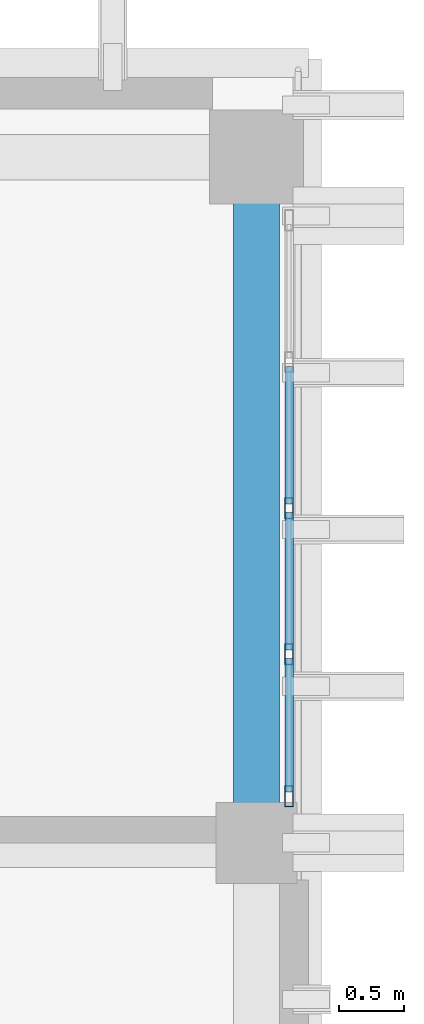
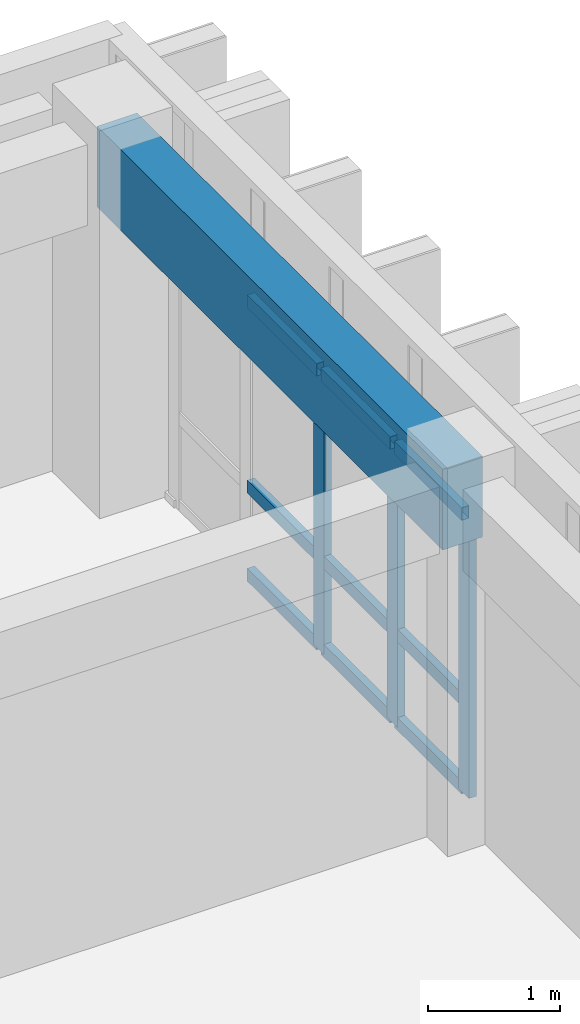
# One storey, part 41 of 59: 12 members, 1 beam, 1 element without a shape of its own.
"""IFC4 building model written with IfcOpenShell, lengths in metres."""

from ifc_helpers import new_model, si_unit, direction, frame, origin, origin_2d, place, context, subcontext, project, spatial, rectangle, hollow_rectangle, extrude, material, layer, layer_set, material_profile, profile_set, type_object, element, aggregate, save


model = new_model("IFC4")

# Units and contexts
model_context = context("Model", 3, precision=1e-05, world=origin(), true_north=direction((0.0, 1.0)))
body_context = subcontext(model_context, "Body", "Model", "MODEL_VIEW")
ifc_project = project(units=[si_unit("LENGTHUNIT", "METRE"), si_unit("AREAUNIT", "SQUARE_METRE"), si_unit("VOLUMEUNIT", "CUBIC_METRE"), si_unit("PLANEANGLEUNIT", "RADIAN"), si_unit("MASSUNIT", "GRAM", prefix="KILO")], contexts=[model_context])

# Site, building, storey
site_placement = place(None, origin())
site = spatial("IfcSite", under=ifc_project, at=site_placement, CompositionType="ELEMENT")
building_placement = place(site_placement, origin())
building = spatial("IfcBuilding", under=site, at=building_placement, Name="Nakhvara Creek Congress Hotel", CompositionType="ELEMENT")
storey_placement = place(building_placement, frame((0.0, 0.0, 31.800048828125)))
storey = spatial("IfcBuildingStorey", under=building, at=storey_placement, Name="L07", CompositionType="ELEMENT", Elevation=31.800048828125)

# Beam
ifc_material_1 = material(Name="Concrete C40/50", Category="concrete")
ifc_material_profile_1 = material_profile(ifc_material_1, rectangle(XDim=0.35009765625, YDim=0.75, at=origin_2d()), Name="RC-SPANDREL 350x750", Category="LoadBearing")
ifc_profile_set_1 = profile_set([ifc_material_profile_1], Name="Concrete C40/50")
beam_type = type_object("IfcBeamType", Name="BM-SPN-350X750", PredefinedType="SPANDREL", material=ifc_profile_set_1)
beam_placement = place(storey_placement, frame((179.35009765625, 120.0, 2.98486328125), z_axis=(0.0, 1.0, 0.0), x_axis=(-1.0, 0.0, 0.0)))
element("IfcBeam", 1, at=beam_placement, inside=storey, type_object=beam_type, Name="Beam SP1-L07-2406", PredefinedType="SPANDREL", context=body_context, shape_type="SweptSolid", body=[
    extrude(rectangle(XDim=0.35009765625, YDim=0.75, at=origin_2d()), origin(), (0.0, 0.0, 1.0), 5.25),
])

# Curtain wall, members
ifc_material_2 = material(Name="Bronze-anodised aluminium AW-6063-T6 and double-silver low-E glass", Category="aluminium")
ifc_layer = layer(ifc_material_2, 0.199951171875)
ifc_layer_set = layer_set([ifc_layer], Name="Bronze-anodised aluminium AW-6063-T6 and double-silver low-E glass")
curtain_wall_type = type_object("IfcCurtainWallType", Name="CW-HTL-UNIT", PredefinedType="USERDEFINED", material=ifc_layer_set)
curtain_wall_placement = place(storey_placement, origin())
curtain_wall = element("IfcCurtainWall", 2, at=curtain_wall_placement, inside=storey, type_object=curtain_wall_type, Name="Curtain Wall CW273", ObjectType="UNITISED", PredefinedType="USERDEFINED")
ifc_material_3 = material(Name="Bronze-anodised aluminium AW-6063-T6", Category="aluminium")
ifc_material_profile_2 = material_profile(ifc_material_3, hollow_rectangle(XDim=0.06494140625, YDim=0.159912109375, WallThickness=0.00390625, at=origin_2d()), Name="ALU-MULL 65x160x4", Category="LoadBearing")
ifc_profile_set_2 = profile_set([ifc_material_profile_2], Name="Bronze-anodised aluminium AW-6063-T6")
member_type_1 = type_object("IfcMemberType", Name="CW-MULL-160", PredefinedType="MULLION", material=ifc_profile_set_2)
member_1_placement = place(storey_placement, frame((179.60009765625, 122.5625, 0.0), z_axis=(0.0, 0.0, 1.0), x_axis=(1.0, 0.0, 0.0)))
member_1 = element("IfcMember", 3, at=member_1_placement, type_object=member_type_1, Name="CW273 mullion 3", PredefinedType="MULLION", context=body_context, shape_type="SweptSolid", body=[
    extrude(hollow_rectangle(XDim=0.06494140625, YDim=0.159912109375, WallThickness=0.00390625, at=origin_2d()), origin(), (0.0, 0.0, 1.0), 2.60205078125),
])
member_2_placement = place(storey_placement, frame((179.60009765625, 121.44384765625, 0.0), z_axis=(0.0, 0.0, 1.0), x_axis=(1.0, 0.0, 0.0)))
member_2 = element("IfcMember", 4, at=member_2_placement, type_object=member_type_1, Name="CW273 mullion 4", PredefinedType="MULLION", context=body_context, shape_type="SweptSolid", body=[
    extrude(hollow_rectangle(XDim=0.06494140625, YDim=0.159912109375, WallThickness=0.00390625, at=origin_2d()), origin(), (0.0, 0.0, 1.0), 2.60205078125),
])
member_3_placement = place(storey_placement, frame((179.60009765625, 120.357421875, 0.0), z_axis=(0.0, 0.0, 1.0), x_axis=(1.0, 0.0, 0.0)))
member_3 = element("IfcMember", 5, at=member_3_placement, type_object=member_type_1, Name="CW273 mullion 5", PredefinedType="MULLION", context=body_context, shape_type="SweptSolid", body=[
    extrude(hollow_rectangle(XDim=0.06494140625, YDim=0.159912109375, WallThickness=0.00390625, at=origin_2d()), origin(), (0.0, 0.0, 1.0), 2.60205078125),
])
ifc_material_profile_3 = material_profile(ifc_material_3, hollow_rectangle(XDim=0.06494140625, YDim=0.1201171875, WallThickness=0.00390625, at=origin_2d()), Name="ALU-TRAN 65x120x4", Category="LoadBearing")
ifc_profile_set_3 = profile_set([ifc_material_profile_3], Name="Bronze-anodised aluminium AW-6063-T6")
member_type_2 = type_object("IfcMemberType", Name="CW-TRAN-120", PredefinedType="USERDEFINED", material=ifc_profile_set_3)
member_4_placement = place(storey_placement, frame((179.60009765625, 123.648681640625, 0.032470703125), z_axis=(0.0, -1.0, 0.0), x_axis=(1.0, 0.0, 0.0)))
member_4 = element("IfcMember", 6, at=member_4_placement, type_object=member_type_2, Name="CW273 transom 2.1", ObjectType="TRANSOM", PredefinedType="USERDEFINED", context=body_context, shape_type="SweptSolid", body=[
    extrude(hollow_rectangle(XDim=0.06494140625, YDim=0.1201171875, WallThickness=0.00390625, at=origin_2d()), origin(), (0.0, 0.0, 1.0), 1.0537109375),
])
member_5_placement = place(storey_placement, frame((179.60009765625, 123.648681640625, 0.849853515625), z_axis=(0.0, -1.0, 0.0), x_axis=(1.0, 0.0, 0.0)))
member_5 = element("IfcMember", 7, at=member_5_placement, type_object=member_type_2, Name="CW273 transom 2.2", ObjectType="TRANSOM", PredefinedType="USERDEFINED", context=body_context, shape_type="SweptSolid", body=[
    extrude(hollow_rectangle(XDim=0.06494140625, YDim=0.1201171875, WallThickness=0.00390625, at=origin_2d()), origin(), (0.0, 0.0, 1.0), 1.0537109375),
])
member_6_placement = place(storey_placement, frame((179.60009765625, 123.648681640625, 2.5693359375), z_axis=(0.0, -1.0, 0.0), x_axis=(1.0, 0.0, 0.0)))
member_6 = element("IfcMember", 8, at=member_6_placement, type_object=member_type_2, Name="CW273 transom 2.3", ObjectType="TRANSOM", PredefinedType="USERDEFINED", context=body_context, shape_type="SweptSolid", body=[
    extrude(hollow_rectangle(XDim=0.06494140625, YDim=0.1201171875, WallThickness=0.00390625, at=origin_2d()), origin(), (0.0, 0.0, 1.0), 1.0537109375),
])
member_7_placement = place(storey_placement, frame((179.60009765625, 122.530029296875, 0.032470703125), z_axis=(0.0, -1.0, 0.0), x_axis=(1.0, 0.0, 0.0)))
member_7 = element("IfcMember", 9, at=member_7_placement, type_object=member_type_2, Name="CW273 transom 3.1", ObjectType="TRANSOM", PredefinedType="USERDEFINED", context=body_context, shape_type="SweptSolid", body=[
    extrude(hollow_rectangle(XDim=0.06494140625, YDim=0.1201171875, WallThickness=0.00390625, at=origin_2d()), origin(), (0.0, 0.0, 1.0), 1.0537109375),
])
member_8_placement = place(storey_placement, frame((179.60009765625, 122.530029296875, 0.849853515625), z_axis=(0.0, -1.0, 0.0), x_axis=(1.0, 0.0, 0.0)))
member_8 = element("IfcMember", 10, at=member_8_placement, type_object=member_type_2, Name="CW273 transom 3.2", ObjectType="TRANSOM", PredefinedType="USERDEFINED", context=body_context, shape_type="SweptSolid", body=[
    extrude(hollow_rectangle(XDim=0.06494140625, YDim=0.1201171875, WallThickness=0.00390625, at=origin_2d()), origin(), (0.0, 0.0, 1.0), 1.0537109375),
])
member_9_placement = place(storey_placement, frame((179.60009765625, 122.530029296875, 2.5693359375), z_axis=(0.0, -1.0, 0.0), x_axis=(1.0, 0.0, 0.0)))
member_9 = element("IfcMember", 11, at=member_9_placement, type_object=member_type_2, Name="CW273 transom 3.3", ObjectType="TRANSOM", PredefinedType="USERDEFINED", context=body_context, shape_type="SweptSolid", body=[
    extrude(hollow_rectangle(XDim=0.06494140625, YDim=0.1201171875, WallThickness=0.00390625, at=origin_2d()), origin(), (0.0, 0.0, 1.0), 1.0537109375),
])
member_10_placement = place(storey_placement, frame((179.60009765625, 121.4111328125, 0.032470703125), z_axis=(0.0, -1.0, 0.0), x_axis=(1.0, 0.0, 0.0)))
member_10 = element("IfcMember", 12, at=member_10_placement, type_object=member_type_2, Name="CW273 transom 4.1", ObjectType="TRANSOM", PredefinedType="USERDEFINED", context=body_context, shape_type="SweptSolid", body=[
    extrude(hollow_rectangle(XDim=0.06494140625, YDim=0.1201171875, WallThickness=0.00390625, at=origin_2d()), origin(), (0.0, 0.0, 1.0), 1.021240234375),
])
member_11_placement = place(storey_placement, frame((179.60009765625, 121.4111328125, 0.849853515625), z_axis=(0.0, -1.0, 0.0), x_axis=(1.0, 0.0, 0.0)))
member_11 = element("IfcMember", 13, at=member_11_placement, type_object=member_type_2, Name="CW273 transom 4.2", ObjectType="TRANSOM", PredefinedType="USERDEFINED", context=body_context, shape_type="SweptSolid", body=[
    extrude(hollow_rectangle(XDim=0.06494140625, YDim=0.1201171875, WallThickness=0.00390625, at=origin_2d()), origin(), (0.0, 0.0, 1.0), 1.021240234375),
])
member_12_placement = place(storey_placement, frame((179.60009765625, 121.4111328125, 2.5693359375), z_axis=(0.0, -1.0, 0.0), x_axis=(1.0, 0.0, 0.0)))
member_12 = element("IfcMember", 14, at=member_12_placement, type_object=member_type_2, Name="CW273 transom 4.3", ObjectType="TRANSOM", PredefinedType="USERDEFINED", context=body_context, shape_type="SweptSolid", body=[
    extrude(hollow_rectangle(XDim=0.06494140625, YDim=0.1201171875, WallThickness=0.00390625, at=origin_2d()), origin(), (0.0, 0.0, 1.0), 1.021240234375),
])
aggregate(curtain_wall, [member_1, member_2, member_3, member_4, member_5, member_6, member_7, member_8, member_9, member_10, member_11, member_12])

save(model, "model.ifc")
